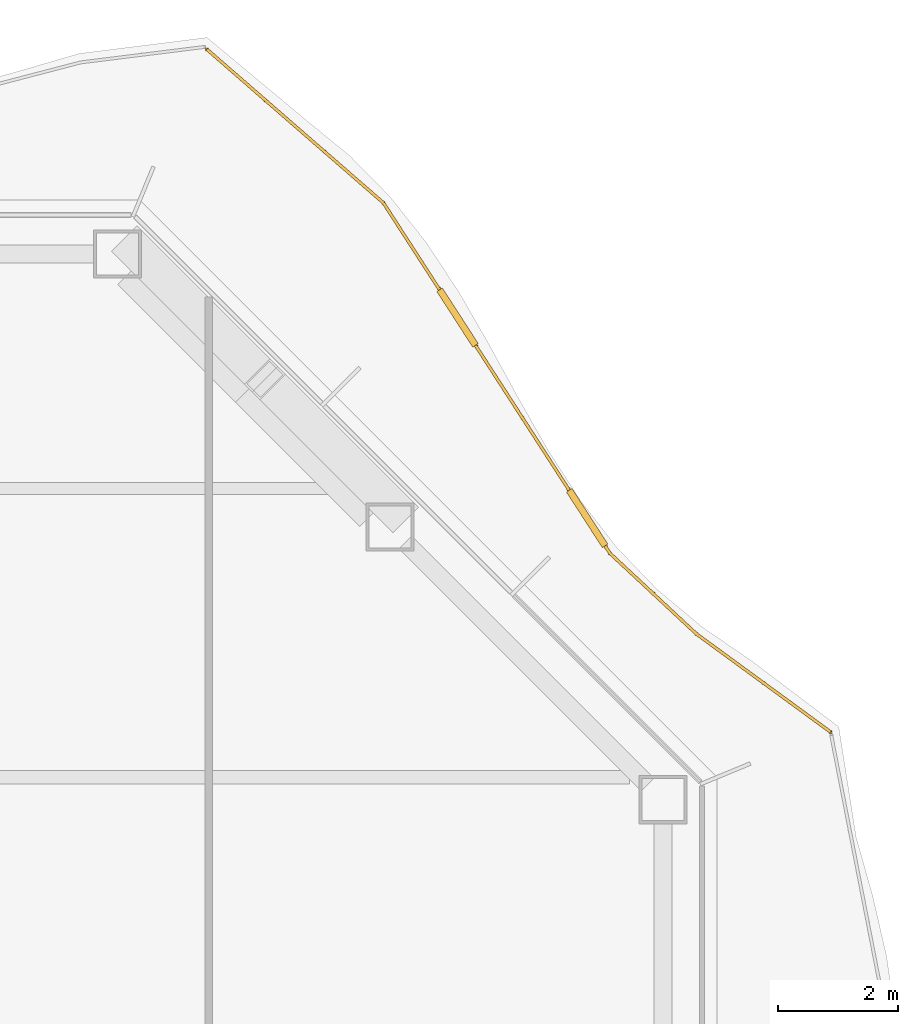
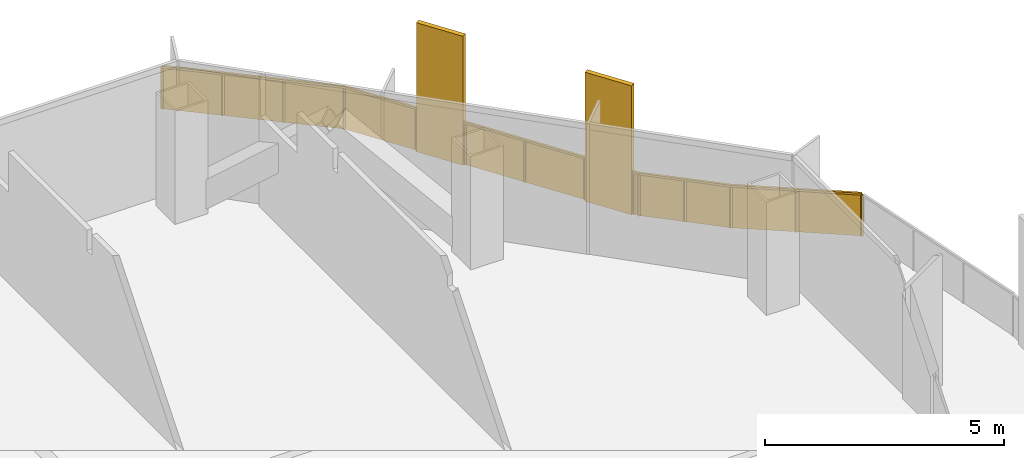
# One storey, part 23 of 23: 1 railing.
"""IFC4 building model written with IfcOpenShell, lengths in metres."""

from ifc_helpers import new_model, si_unit, direction, frame, origin, origin_2d, place, context, subcontext, project, spatial, polyline, rectangle, outline, extrude, material, type_object, element, save


model = new_model("IFC4")

# Units and contexts
model_context = context("Model", 3, precision=1e-05, world=origin(), true_north=direction((0.0, 1.0)))
body_context = subcontext(model_context, "Body", "Model", "MODEL_VIEW")
ifc_project = project(units=[si_unit("LENGTHUNIT", "METRE"), si_unit("AREAUNIT", "SQUARE_METRE"), si_unit("VOLUMEUNIT", "CUBIC_METRE"), si_unit("PLANEANGLEUNIT", "RADIAN"), si_unit("MASSUNIT", "GRAM", prefix="KILO")], contexts=[model_context])

# Site, building, storey
site_placement = place(None, origin())
site = spatial("IfcSite", under=ifc_project, at=site_placement, CompositionType="ELEMENT")
building_placement = place(site_placement, origin())
building = spatial("IfcBuilding", under=site, at=building_placement, Name="Cairn Pilgrim Tower", CompositionType="ELEMENT")
storey_placement = place(building_placement, frame((0.0, 0.0, 115.800048828125)))
storey = spatial("IfcBuildingStorey", under=building, at=storey_placement, Name="L28", CompositionType="ELEMENT", Elevation=115.800048828125)

# Railing
ifc_material = material(Name="Bronze anodised aluminium rail, posts and fin screens with laminated glass infill", Category="aluminium")
railing_type = type_object("IfcRailingType", Name="BALCONY GUARD WITH FIN SCREENS", PredefinedType="GUARDRAIL", material=ifc_material)
railing_placement = place(storey_placement, frame((37.888916015625, 19.952392578125, 0.0)))
element("IfcRailing", 1, at=railing_placement, inside=storey, type_object=railing_type, Name="Balcony guard BGF-4 with fin screens", PredefinedType="GUARDRAIL", context=body_context, shape_type="SweptSolid", body=[
    extrude(rectangle(XDim=0.050048828125, YDim=0.050048828125, at=origin_2d()), frame((0.0, 0.0, 1.0751953125), z_axis=(-0.807280968825, 0.590167296088, 0.0), x_axis=(-0.590167296088, -0.807280968825, 0.0)), (0.0, 0.0, 1.0), 2.76171875),
    extrude(rectangle(XDim=0.050048828125, YDim=0.050048828125, at=origin_2d()), frame((-2.2294921875, 1.6298828125, 1.0751953125), z_axis=(-0.731661392718, 0.681668252456, 0.0), x_axis=(-0.681668252456, -0.731661392718, 0.0)), (0.0, 0.0, 1.0), 1.968017578125),
    extrude(rectangle(XDim=1.10009765625, YDim=0.110107421875, at=origin_2d()), frame((-4.049560546875, 3.559326171875, 0.0), z_axis=(0.0, 0.0, 1.0), x_axis=(-0.542907022067, 0.83979281099, 0.0)), (0.0, 0.0, 1.0), 3.300048828125),
    extrude(rectangle(XDim=1.10009765625, YDim=0.110107421875, at=origin_2d()), frame((-6.204345703125, 6.892578125, 0.0), z_axis=(0.0, 0.0, 1.0), x_axis=(-0.542907022067, 0.83979281099, 0.0)), (0.0, 0.0, 1.0), 3.300048828125),
    extrude(rectangle(XDim=0.050048828125, YDim=0.050048828125, at=origin_2d()), frame((-3.66943359375, 2.971435546875, 1.0751953125), z_axis=(-0.542907022067, 0.83979281099, 0.0), x_axis=(-0.83979281099, -0.542907022067, 0.0)), (0.0, 0.0, 1.0), 0.150146484375),
    extrude(rectangle(XDim=0.050048828125, YDim=0.050048828125, at=origin_2d()), frame((-4.34814453125, 4.021240234375, 1.0751953125), z_axis=(-0.542907022067, 0.83979281099, 0.0), x_axis=(-0.83979281099, -0.542907022067, 0.0)), (0.0, 0.0, 1.0), 2.868896484375),
    extrude(rectangle(XDim=0.050048828125, YDim=0.050048828125, at=origin_2d()), frame((-6.5029296875, 7.3544921875, 1.0751953125), z_axis=(-0.542907022067, 0.83979281099, 0.0), x_axis=(-0.83979281099, -0.542907022067, 0.0)), (0.0, 0.0, 1.0), 1.721435546875),
    extrude(rectangle(XDim=0.050048828125, YDim=0.050048828125, at=origin_2d()), frame((-7.4375, 8.800048828125, 1.0751953125), z_axis=(-0.754482548795, 0.656320107541, 0.0), x_axis=(-0.656320107541, -0.754482548795, 0.0)), (0.0, 0.0, 1.0), 3.889892578125),
    extrude(rectangle(XDim=0.050048828125, YDim=0.050048828125, at=origin_2d()), origin(), (0.0, 0.0, 1.0), 1.050048828125),
    extrude(rectangle(XDim=0.050048828125, YDim=0.050048828125, at=origin_2d()), frame((-1.11474609375, 0.81494140625, 0.0)), (0.0, 0.0, 1.0), 1.050048828125),
    extrude(rectangle(XDim=0.050048828125, YDim=0.050048828125, at=origin_2d()), frame((-2.2294921875, 1.6298828125, 0.0)), (0.0, 0.0, 1.0), 1.050048828125),
    extrude(rectangle(XDim=0.050048828125, YDim=0.050048828125, at=origin_2d()), frame((-2.949462890625, 2.30078125, 0.0)), (0.0, 0.0, 1.0), 1.050048828125),
    extrude(rectangle(XDim=0.050048828125, YDim=0.050048828125, at=origin_2d()), frame((-3.66943359375, 2.971435546875, 0.0)), (0.0, 0.0, 1.0), 1.050048828125),
    extrude(rectangle(XDim=0.050048828125, YDim=0.050048828125, at=origin_2d()), frame((-3.7373046875, 3.076416015625, 0.0)), (0.0, 0.0, 1.0), 1.050048828125),
    extrude(rectangle(XDim=0.050048828125, YDim=0.050048828125, at=origin_2d()), frame((-4.36181640625, 4.042236328125, 0.0)), (0.0, 0.0, 1.0), 1.050048828125),
    extrude(rectangle(XDim=0.050048828125, YDim=0.050048828125, at=origin_2d()), frame((-5.126953125, 5.22607421875, 0.0)), (0.0, 0.0, 1.0), 1.050048828125),
    extrude(rectangle(XDim=0.050048828125, YDim=0.050048828125, at=origin_2d()), frame((-5.89208984375, 6.40966796875, 0.0)), (0.0, 0.0, 1.0), 1.050048828125),
    extrude(rectangle(XDim=0.050048828125, YDim=0.050048828125, at=origin_2d()), frame((-6.5166015625, 7.37548828125, 0.0)), (0.0, 0.0, 1.0), 1.050048828125),
    extrude(rectangle(XDim=0.050048828125, YDim=0.050048828125, at=origin_2d()), frame((-7.4375, 8.800048828125, 0.0)), (0.0, 0.0, 1.0), 1.050048828125),
    extrude(rectangle(XDim=0.050048828125, YDim=0.050048828125, at=origin_2d()), frame((-8.415771484375, 9.651123046875, 0.0)), (0.0, 0.0, 1.0), 1.050048828125),
    extrude(rectangle(XDim=0.050048828125, YDim=0.050048828125, at=origin_2d()), frame((-9.39404296875, 10.501953125, 0.0)), (0.0, 0.0, 1.0), 1.050048828125),
    extrude(rectangle(XDim=0.050048828125, YDim=0.050048828125, at=origin_2d()), frame((-10.372314453125, 11.35302734375, 0.0)), (0.0, 0.0, 1.0), 1.050048828125),
    extrude(outline(polyline([(0.02490234375, 0.0), (1.35595703125, 0.0), (1.35595703125, 1.050048828125), (0.02490234375, 1.050048828125), (0.02490234375, 0.0)])), frame((-0.00341796875, -0.0048828125, 0.0), z_axis=(0.590167296088, 0.807280968825, 0.0), x_axis=(-0.807280968825, 0.590167296088, 0.0)), (0.0, 0.0, 1.0), 0.011962890625),
    extrude(outline(polyline([(0.02490234375, 0.0), (1.35595703125, 0.0), (1.35595703125, 1.050048828125), (0.02490234375, 1.050048828125), (0.02490234375, 0.0)])), frame((-1.1181640625, 0.81005859375, 0.0), z_axis=(0.590167296088, 0.807280968825, 0.0), x_axis=(-0.807280968825, 0.590167296088, 0.0)), (0.0, 0.0, 1.0), 0.011962890625),
    extrude(outline(polyline([(0.02490234375, 0.0), (0.958984375, 0.0), (0.958984375, 1.050048828125), (0.02490234375, 1.050048828125), (0.02490234375, 0.0)])), frame((-2.233642578125, 1.62548828125, 0.0), z_axis=(0.681668252456, 0.731661392718, 0.0), x_axis=(-0.731661392718, 0.681668252456, 0.0)), (0.0, 0.0, 1.0), 0.011962890625),
    extrude(outline(polyline([(0.02490234375, 0.0), (0.958984375, 0.0), (0.958984375, 1.050048828125), (0.02490234375, 1.050048828125), (0.02490234375, 0.0)])), frame((-2.95361328125, 2.29638671875, 0.0), z_axis=(0.681668252456, 0.731661392718, 0.0), x_axis=(-0.731661392718, 0.681668252456, 0.0)), (0.0, 0.0, 1.0), 0.011962890625),
    extrude(outline(polyline([(0.02490234375, 0.0), (0.10009765625, 0.0), (0.10009765625, 1.050048828125), (0.02490234375, 1.050048828125), (0.02490234375, 0.0)])), frame((-3.674560546875, 2.96826171875, 0.0), z_axis=(0.83979281099, 0.542907022067, 0.0), x_axis=(-0.542907022067, 0.83979281099, 0.0)), (0.0, 0.0, 1.0), 0.011962890625),
    extrude(outline(polyline([(0.02490234375, 0.0), (1.384521484375, 0.0), (1.384521484375, 1.050048828125), (0.02490234375, 1.050048828125), (0.02490234375, 0.0)])), frame((-4.36669921875, 4.0390625, 0.0), z_axis=(0.83979281099, 0.542907022067, 0.0), x_axis=(-0.542907022067, 0.83979281099, 0.0)), (0.0, 0.0, 1.0), 0.011962890625),
    extrude(outline(polyline([(0.02490234375, 0.0), (1.384521484375, 0.0), (1.384521484375, 1.050048828125), (0.02490234375, 1.050048828125), (0.02490234375, 0.0)])), frame((-5.132080078125, 5.22265625, 0.0), z_axis=(0.83979281099, 0.542907022067, 0.0), x_axis=(-0.542907022067, 0.83979281099, 0.0)), (0.0, 0.0, 1.0), 0.011962890625),
    extrude(outline(polyline([(0.02490234375, 0.0), (1.67138671875, 0.0), (1.67138671875, 1.050048828125), (0.02490234375, 1.050048828125), (0.02490234375, 0.0)])), frame((-6.521484375, 7.3720703125, 0.0), z_axis=(0.83979281099, 0.542907022067, 0.0), x_axis=(-0.542907022067, 0.83979281099, 0.0)), (0.0, 0.0, 1.0), 0.011962890625),
    extrude(outline(polyline([(0.02490234375, 0.0), (1.271484375, 0.0), (1.271484375, 1.050048828125), (0.02490234375, 1.050048828125), (0.02490234375, 0.0)])), frame((-7.44140625, 8.795654296875, 0.0), z_axis=(0.656320107541, 0.754482548795, 0.0), x_axis=(-0.754482548795, 0.656320107541, 0.0)), (0.0, 0.0, 1.0), 0.011962890625),
    extrude(outline(polyline([(0.02490234375, 0.0), (1.271484375, 0.0), (1.271484375, 1.050048828125), (0.02490234375, 1.050048828125), (0.02490234375, 0.0)])), frame((-8.419677734375, 9.646484375, 0.0), z_axis=(0.656320107541, 0.754482548795, 0.0), x_axis=(-0.754482548795, 0.656320107541, 0.0)), (0.0, 0.0, 1.0), 0.011962890625),
    extrude(outline(polyline([(0.02490234375, 0.0), (1.271484375, 0.0), (1.271484375, 1.050048828125), (0.02490234375, 1.050048828125), (0.02490234375, 0.0)])), frame((-9.39794921875, 10.49755859375, 0.0), z_axis=(0.656320107541, 0.754482548795, 0.0), x_axis=(-0.754482548795, 0.656320107541, 0.0)), (0.0, 0.0, 1.0), 0.011962890625),
])

save(model, "model.ifc")
